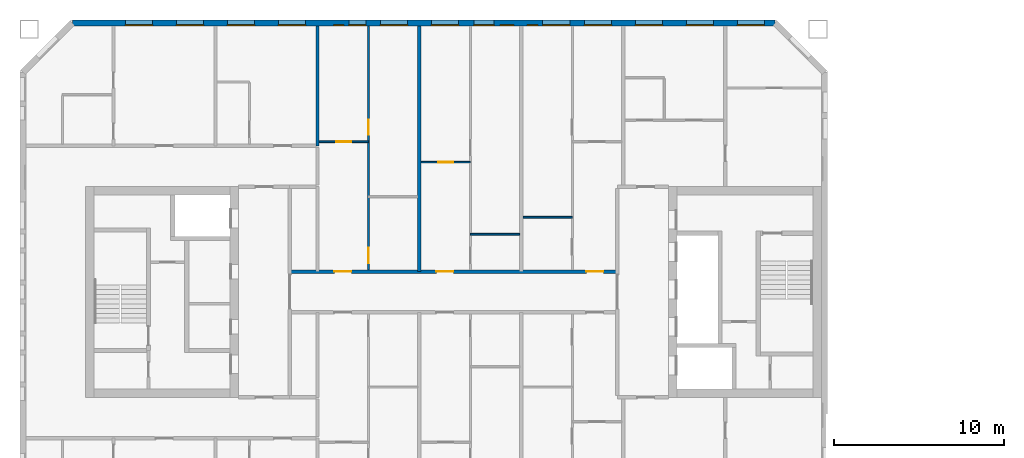
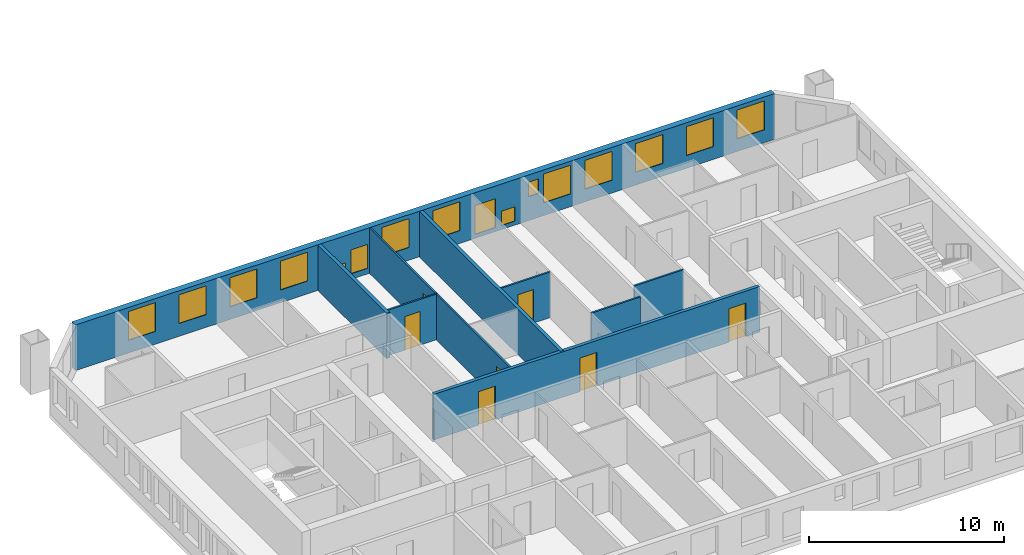
# One storey, part 5 of 15: 16 windows, 9 walls, 7 doors, 23 openings.
"""IFC4 building model written with IfcOpenShell, lengths in metres."""

import ifcopenshell
import ifcopenshell.guid

model = None  # the IFC model being written
_history = None  # IfcOwnerHistory: only IFC2X3 demands one
_inside = {}  # id of a spatial element -> (the spatial element, [elements in it])
_under = {}  # id of a project, library or spatial element -> (it, [spatial elements below it])
_declared = {}  # id of a project -> (the project, [libraries it declares])
_typed = {}  # id of a type object -> (the type object, [elements of that type])
_made_of = {}  # id of a material, layer set ... -> (it, [elements and type objects made of it])


def new_model(schema):
    """Start an empty IFC model of exactly this schema.

    Asked for "IFC4X3", IfcOpenShell would pick the latest addendum, in which some entities
    have other attributes; the version numbers below select the first issue.
    IFC2X3 requires an IfcOwnerHistory on every rooted entity: one is made here for all.
    """
    global model, _history
    if schema == "IFC4X3":
        model = ifcopenshell.file(schema_version=(4, 3, 0, 0))
    else:
        model = ifcopenshell.file(schema=schema)
    _inside.clear()
    _under.clear()
    _declared.clear()
    _typed.clear()
    _made_of.clear()
    _history = None
    if model.schema == "IFC2X3":
        org = make("IfcOrganization", Name="unknown")
        user = make(
            "IfcPersonAndOrganization",
            ThePerson=make("IfcPerson", FamilyName="unknown"),
            TheOrganization=org,
        )
        app = make(
            "IfcApplication",
            ApplicationDeveloper=org,
            Version="unknown",
            ApplicationFullName="unknown",
            ApplicationIdentifier="unknown",
        )
        _history = make(
            "IfcOwnerHistory",
            OwningUser=user,
            OwningApplication=app,
            ChangeAction="ADDED",
            CreationDate=0,
        )
    return model


def make(cls, **values):
    """One entity of the class cls with the attributes given. An attribute that is None is left unset."""
    return model.create_entity(
        cls, **{name: value for name, value in values.items() if value is not None}
    )


def rooted(cls, **values):
    """An entity with a GlobalId (a new one), such as an element, a storey or a relation."""
    return make(cls, GlobalId=ifcopenshell.guid.new(), OwnerHistory=_history, **values)


def si_unit(unit_type, name, prefix=None):
    """IfcSIUnit, for example si_unit("LENGTHUNIT", "METRE", prefix="MILLI")."""
    return make("IfcSIUnit", UnitType=unit_type, Prefix=prefix, Name=name)


def assignment(units):
    """IfcUnitAssignment: the units of a project."""
    return None if units is None else make("IfcUnitAssignment", Units=units)


def point(xyz):
    """IfcCartesianPoint."""
    return None if xyz is None else make("IfcCartesianPoint", Coordinates=xyz)


def direction(xyz):
    """IfcDirection."""
    return None if xyz is None else make("IfcDirection", DirectionRatios=xyz)


def frame(location, z_axis=None, x_axis=None):
    """IfcAxis2Placement3D, a coordinate frame: its origin and axes. An axis left out is left unset."""
    return make(
        "IfcAxis2Placement3D",
        Location=point(location),
        Axis=direction(z_axis),
        RefDirection=direction(x_axis),
    )


def frame_2d(location, x_axis=None):
    """IfcAxis2Placement2D, a coordinate frame in the plane: its origin and x axis."""
    return make(
        "IfcAxis2Placement2D", Location=point(location), RefDirection=direction(x_axis)
    )


def origin():
    """The frame at (0, 0, 0) with its axes left unset."""
    return frame((0.0, 0.0, 0.0))


def place(relative_to, where):
    """IfcLocalPlacement: puts the frame where relative to a parent placement (None: the world)."""
    return make(
        "IfcLocalPlacement", PlacementRelTo=relative_to, RelativePlacement=where
    )


def context(
    kind, dimensions, precision=None, world=None, true_north=None, identifier=None
):
    """IfcGeometricRepresentationContext, for example the 3D "Model" context."""
    return make(
        "IfcGeometricRepresentationContext",
        ContextIdentifier=identifier,
        ContextType=kind,
        CoordinateSpaceDimension=dimensions,
        Precision=precision,
        WorldCoordinateSystem=world,
        TrueNorth=true_north,
    )


def subcontext(parent, identifier, kind, view, scale=None):
    """IfcGeometricRepresentationSubContext, for example "Body" below "Model"."""
    return make(
        "IfcGeometricRepresentationSubContext",
        ContextIdentifier=identifier,
        ContextType=kind,
        ParentContext=parent,
        TargetScale=scale,
        TargetView=view,
    )


def project(units=None, contexts=None):
    """IfcProject with its units and contexts."""
    return rooted(
        "IfcProject",
        Name="project",
        RepresentationContexts=contexts,
        UnitsInContext=assignment(units),
    )


def spatial(cls, under=None, at=None, **own):
    """A site, building, storey or space (cls), placed at a placement, below another one or the project."""
    s = rooted(cls, ObjectPlacement=at, **own)
    if under is not None:
        _under.setdefault(under.id(), (under, []))[1].append(s)
    return s


def profile(cls, at=None, kind="AREA", **sizes):
    """A parametric profile (cls). Its sizes go by their IFC names, for example OverallWidth=200.0."""
    return make(cls, ProfileType=kind, Position=at, **sizes)


def rectangle(**sizes):
    """IfcRectangleProfileDef."""
    return profile("IfcRectangleProfileDef", **sizes)


def extrude(swept, where, along, depth):
    """IfcExtrudedAreaSolid: the profile swept, set in the frame where, extruded along a direction by depth."""
    return make(
        "IfcExtrudedAreaSolid",
        SweptArea=swept,
        Position=where,
        ExtrudedDirection=direction(along),
        Depth=depth,
    )


def shape(context_of_items, identifier, shape_type, items):
    """IfcShapeRepresentation: the items that make up one representation, for example the "Body"."""
    return make(
        "IfcShapeRepresentation",
        ContextOfItems=context_of_items,
        RepresentationIdentifier=identifier,
        RepresentationType=shape_type,
        Items=items,
    )


def material(Name=None, Category=None):
    """IfcMaterial."""
    return make("IfcMaterial", Name=Name, Category=Category)


def layer(
    of_material, thickness, ventilated=None, Name=None, Category=None, Priority=None
):
    """IfcMaterialLayer: one layer of a wall or slab, of a material (None: an air gap)."""
    return make(
        "IfcMaterialLayer",
        Material=of_material,
        LayerThickness=thickness,
        IsVentilated=ventilated,
        Name=Name,
        Category=Category,
        Priority=Priority,
    )


def layer_set(layers, Name=None):
    """IfcMaterialLayerSet."""
    return make("IfcMaterialLayerSet", MaterialLayers=layers, LayerSetName=Name)


def made_of(thing, what):
    """Note that an element or type object is made of a material, layer set ...; save() writes the relation."""
    if what is not None:
        _made_of.setdefault(what.id(), (what, []))[1].append(thing)
    return thing


def type_object(cls, material=None, **own):
    """A type object (cls), such as IfcWallType, which elements share."""
    return made_of(rooted(cls, **own), material)


def element(
    cls,
    number,
    at=None,
    inside=None,
    cuts=None,
    type_object=None,
    material=None,
    context=None,
    identifier="Body",
    shape_type=None,
    held_by="IfcProductDefinitionShape",
    body=None,
    shapes=None,
    **own,
):
    """One element of the class cls, such as IfcWall. Its Tag is "e" and its number.

    at: its placement. inside: the storey or other place that contains it. cuts: it is an
    opening in that element (IfcRelVoidsElement). A single representation is given by context,
    identifier, shape_type and body (its items); several are given by shapes. held_by: the class
    of the entity that holds the representations. save() writes the other relations.
    """
    e = rooted(cls, Tag="e%d" % number, ObjectPlacement=at, **own)
    if body is not None:
        shapes = [shape(context, identifier, shape_type, body)]
    if shapes is not None:
        e.Representation = make(held_by, Representations=shapes)
    if inside is not None:
        _inside.setdefault(inside.id(), (inside, []))[1].append(e)
    if cuts is not None:
        rooted(
            "IfcRelVoidsElement", RelatingBuildingElement=cuts, RelatedOpeningElement=e
        )
    if type_object is not None:
        _typed.setdefault(type_object.id(), (type_object, []))[1].append(e)
    return made_of(e, material)


def fill(opening, filler):
    """IfcRelFillsElement: the door or window that sits in an opening."""
    return rooted(
        "IfcRelFillsElement",
        RelatingOpeningElement=opening,
        RelatedBuildingElement=filler,
    )


def aggregate(whole, parts):
    """IfcRelAggregates: a whole, such as a stair, and the parts it consists of."""
    return rooted("IfcRelAggregates", RelatingObject=whole, RelatedObjects=parts)


def save(model, path):
    """Write the relations noted so far, then the file.

    IfcRelAggregates (storeys below a building ...), IfcRelContainedInSpatialStructure (elements
    in a storey), IfcRelDefinesByType, IfcRelAssociatesMaterial and IfcRelDeclares: one each for
    every whole, place, type object, material and project.
    """
    for whole, parts in _under.values():
        aggregate(whole, parts)
    for where, things in _inside.values():
        rooted(
            "IfcRelContainedInSpatialStructure",
            RelatedElements=things,
            RelatingStructure=where,
        )
    for kind, things in _typed.values():
        rooted("IfcRelDefinesByType", RelatedObjects=things, RelatingType=kind)
    for what, things in _made_of.values():
        rooted("IfcRelAssociatesMaterial", RelatedObjects=things, RelatingMaterial=what)
    for by, libraries in _declared.values():
        rooted("IfcRelDeclares", RelatingContext=by, RelatedDefinitions=libraries)
    model.write(path)


model = new_model("IFC4")

# Units and contexts
model_context = context("Model", 3, precision=1e-05, world=origin(), true_north=direction((0.0, 1.0)))
body_context = subcontext(model_context, "Body", "Model", "MODEL_VIEW")
ifc_project = project(units=[si_unit("LENGTHUNIT", "METRE"), si_unit("AREAUNIT", "SQUARE_METRE"), si_unit("VOLUMEUNIT", "CUBIC_METRE"), si_unit("PLANEANGLEUNIT", "RADIAN"), si_unit("MASSUNIT", "GRAM", prefix="KILO")], contexts=[model_context])

# Site, building, storey
site_placement = place(None, origin())
site = spatial("IfcSite", under=ifc_project, at=site_placement, CompositionType="ELEMENT")
building_placement = place(site_placement, origin())
building = spatial("IfcBuilding", under=site, at=building_placement, Name="Tuart Gate Housing", CompositionType="ELEMENT")
storey_placement = place(building_placement, frame((0.0, 0.0, 160.89990234375)))
storey = spatial("IfcBuildingStorey", under=building, at=storey_placement, Name="L45", CompositionType="ELEMENT", Elevation=160.89990234375)

# Wall, openings, windows
ifc_material_1 = material(Name="Brick", Category="masonry")
ifc_layer_1 = layer(ifc_material_1, 0.360107421875)
ifc_layer_set_1 = layer_set([ifc_layer_1], Name="Brick pier and spandrel wall 360")
wall_type_1 = type_object("IfcWallType", Name="Brick pier and spandrel wall 360", PredefinedType="STANDARD", material=ifc_layer_set_1)
wall_1_placement = place(storey_placement, frame((72.92529296875, 85.820068359375, 0.0), z_axis=(0.0, 0.0, 1.0), x_axis=(-1.0, 0.0, 0.0)))
wall_1 = element("IfcWall", 1, at=wall_1_placement, inside=storey, type_object=wall_type_1, Name="External wall A-N L45", PredefinedType="STANDARD", context=body_context, shape_type="SweptSolid", body=[
    extrude(rectangle(XDim=41.350830078125, YDim=0.360107421875, at=frame_2d((20.67529296875, 0.0))), origin(), (0.0, 0.0, 1.0), 2.85009765625),
])
opening_1_placement = place(wall_1_placement, frame((0.62548828125, 0.0, 0.800048828125)))
opening_1 = element("IfcOpeningElement", 2, at=opening_1_placement, cuts=wall_1, Name="Opening W1", PredefinedType="OPENING", context=body_context, shape_type="SweptSolid", body=[
    extrude(rectangle(XDim=1.60009765625, YDim=1.800048828125, at=frame_2d((0.800048828125, 0.89990234375))), frame((0.0, 0.18994140625, 0.0), z_axis=(0.0, -1.0, 0.0), x_axis=(1.0, 0.0, 0.0)), (0.0, 0.0, 1.0), 0.380126953125),
])
opening_2_placement = place(wall_1_placement, frame((3.62548828125, 0.0, 0.800048828125)))
opening_2 = element("IfcOpeningElement", 3, at=opening_2_placement, cuts=wall_1, Name="Opening W1", PredefinedType="OPENING", context=body_context, shape_type="SweptSolid", body=[
    extrude(rectangle(XDim=1.60009765625, YDim=1.800048828125, at=frame_2d((0.800048828125, 0.89990234375))), frame((0.0, 0.18994140625, 0.0), z_axis=(0.0, -1.0, 0.0), x_axis=(1.0, 0.0, 0.0)), (0.0, 0.0, 1.0), 0.380126953125),
])
opening_3_placement = place(wall_1_placement, frame((6.62548828125, 0.0, 0.800048828125)))
opening_3 = element("IfcOpeningElement", 4, at=opening_3_placement, cuts=wall_1, Name="Opening W1", PredefinedType="OPENING", context=body_context, shape_type="SweptSolid", body=[
    extrude(rectangle(XDim=1.60009765625, YDim=1.800048828125, at=frame_2d((0.800048828125, 0.89990234375))), frame((0.0, 0.18994140625, 0.0), z_axis=(0.0, -1.0, 0.0), x_axis=(1.0, 0.0, 0.0)), (0.0, 0.0, 1.0), 0.380126953125),
])
opening_4_placement = place(wall_1_placement, frame((9.62548828125, 0.0, 0.800048828125)))
opening_4 = element("IfcOpeningElement", 5, at=opening_4_placement, cuts=wall_1, Name="Opening W1", PredefinedType="OPENING", context=body_context, shape_type="SweptSolid", body=[
    extrude(rectangle(XDim=1.60009765625, YDim=1.800048828125, at=frame_2d((0.800048828125, 0.89990234375))), frame((0.0, 0.18994140625, 0.0), z_axis=(0.0, -1.0, 0.0), x_axis=(1.0, 0.0, 0.0)), (0.0, 0.0, 1.0), 0.380126953125),
])
opening_5_placement = place(wall_1_placement, frame((12.075439453125, 0.0, 0.800048828125)))
opening_5 = element("IfcOpeningElement", 6, at=opening_5_placement, cuts=wall_1, Name="Opening W1", PredefinedType="OPENING", context=body_context, shape_type="SweptSolid", body=[
    extrude(rectangle(XDim=1.60009765625, YDim=1.800048828125, at=frame_2d((0.800048828125, 0.89990234375))), frame((0.0, 0.18994140625, 0.0), z_axis=(0.0, -1.0, 0.0), x_axis=(1.0, 0.0, 0.0)), (0.0, 0.0, 1.0), 0.380126953125),
])
opening_6_placement = place(wall_1_placement, frame((15.37548828125, 0.0, 0.25)))
opening_6 = element("IfcOpeningElement", 7, at=opening_6_placement, cuts=wall_1, Name="Opening W1V", PredefinedType="OPENING", context=body_context, shape_type="SweptSolid", body=[
    extrude(rectangle(XDim=0.800048828125, YDim=0.89990234375, at=frame_2d((0.39990234375, 0.449951171875))), frame((0.0, 0.18994140625, 0.0), z_axis=(0.0, -1.0, 0.0), x_axis=(1.0, 0.0, 0.0)), (0.0, 0.0, 1.0), 0.380126953125),
])
opening_7_placement = place(wall_1_placement, frame((18.62548828125, 0.0, 0.800048828125)))
opening_7 = element("IfcOpeningElement", 8, at=opening_7_placement, cuts=wall_1, Name="Opening W1", PredefinedType="OPENING", context=body_context, shape_type="SweptSolid", body=[
    extrude(rectangle(XDim=1.60009765625, YDim=1.800048828125, at=frame_2d((0.800048828125, 0.89990234375))), frame((0.0, 0.18994140625, 0.0), z_axis=(0.0, -1.0, 0.0), x_axis=(1.0, 0.0, 0.0)), (0.0, 0.0, 1.0), 0.380126953125),
])
opening_8_placement = place(wall_1_placement, frame((21.62548828125, 0.0, 0.800048828125)))
opening_8 = element("IfcOpeningElement", 9, at=opening_8_placement, cuts=wall_1, Name="Opening W1", PredefinedType="OPENING", context=body_context, shape_type="SweptSolid", body=[
    extrude(rectangle(XDim=1.60009765625, YDim=1.800048828125, at=frame_2d((0.800048828125, 0.89990234375))), frame((0.0, 0.18994140625, 0.0), z_axis=(0.0, -1.0, 0.0), x_axis=(1.0, 0.0, 0.0)), (0.0, 0.0, 1.0), 0.380126953125),
])
opening_9_placement = place(wall_1_placement, frame((24.075439453125, 0.0, 0.35009765625)))
opening_9 = element("IfcOpeningElement", 10, at=opening_9_placement, cuts=wall_1, Name="Opening W1I", PredefinedType="OPENING", context=body_context, shape_type="SweptSolid", body=[
    extrude(rectangle(XDim=1.0, YDim=1.5, at=frame_2d((0.5, 0.75))), frame((0.0, 0.18994140625, 0.0), z_axis=(0.0, -1.0, 0.0), x_axis=(1.0, 0.0, 0.0)), (0.0, 0.0, 1.0), 0.380126953125),
])
opening_10_placement = place(wall_1_placement, frame((27.62548828125, 0.0, 0.800048828125)))
opening_10 = element("IfcOpeningElement", 11, at=opening_10_placement, cuts=wall_1, Name="Opening W1", PredefinedType="OPENING", context=body_context, shape_type="SweptSolid", body=[
    extrude(rectangle(XDim=1.60009765625, YDim=1.800048828125, at=frame_2d((0.800048828125, 0.89990234375))), frame((0.0, 0.18994140625, 0.0), z_axis=(0.0, -1.0, 0.0), x_axis=(1.0, 0.0, 0.0)), (0.0, 0.0, 1.0), 0.380126953125),
])
opening_11_placement = place(wall_1_placement, frame((30.62548828125, 0.0, 0.800048828125)))
opening_11 = element("IfcOpeningElement", 12, at=opening_11_placement, cuts=wall_1, Name="Opening W1", PredefinedType="OPENING", context=body_context, shape_type="SweptSolid", body=[
    extrude(rectangle(XDim=1.60009765625, YDim=1.800048828125, at=frame_2d((0.800048828125, 0.89990234375))), frame((0.0, 0.18994140625, 0.0), z_axis=(0.0, -1.0, 0.0), x_axis=(1.0, 0.0, 0.0)), (0.0, 0.0, 1.0), 0.380126953125),
])
opening_12_placement = place(wall_1_placement, frame((33.62548828125, 0.0, 0.800048828125)))
opening_12 = element("IfcOpeningElement", 13, at=opening_12_placement, cuts=wall_1, Name="Opening W1", PredefinedType="OPENING", context=body_context, shape_type="SweptSolid", body=[
    extrude(rectangle(XDim=1.60009765625, YDim=1.800048828125, at=frame_2d((0.800048828125, 0.89990234375))), frame((0.0, 0.18994140625, 0.0), z_axis=(0.0, -1.0, 0.0), x_axis=(1.0, 0.0, 0.0)), (0.0, 0.0, 1.0), 0.380126953125),
])
opening_13_placement = place(wall_1_placement, frame((36.62548828125, 0.0, 0.800048828125)))
opening_13 = element("IfcOpeningElement", 14, at=opening_13_placement, cuts=wall_1, Name="Opening W1", PredefinedType="OPENING", context=body_context, shape_type="SweptSolid", body=[
    extrude(rectangle(XDim=1.60009765625, YDim=1.800048828125, at=frame_2d((0.800048828125, 0.89990234375))), frame((0.0, 0.18994140625, 0.0), z_axis=(0.0, -1.0, 0.0), x_axis=(1.0, 0.0, 0.0)), (0.0, 0.0, 1.0), 0.380126953125),
])
opening_14_placement = place(wall_1_placement, frame((13.975341796875, 0.0, 1.5)))
opening_14 = element("IfcOpeningElement", 15, at=opening_14_placement, cuts=wall_1, Name="Opening W1W", PredefinedType="OPENING", context=body_context, shape_type="SweptSolid", body=[
    extrude(rectangle(XDim=0.60009765625, YDim=0.89990234375, at=frame_2d((0.300048828125, 0.449951171875))), frame((0.0, 0.18994140625, 0.0), z_axis=(0.0, -1.0, 0.0), x_axis=(1.0, 0.0, 0.0)), (0.0, 0.0, 1.0), 0.380126953125),
])
opening_15_placement = place(wall_1_placement, frame((16.525390625, 0.0, 0.25)))
opening_15 = element("IfcOpeningElement", 16, at=opening_15_placement, cuts=wall_1, Name="Opening W1B", PredefinedType="OPENING", context=body_context, shape_type="SweptSolid", body=[
    extrude(rectangle(XDim=1.199951171875, YDim=1.800048828125, at=frame_2d((0.60009765625, 0.89990234375))), frame((0.0, 0.18994140625, 0.0), z_axis=(0.0, -1.0, 0.0), x_axis=(1.0, 0.0, 0.0)), (0.0, 0.0, 1.0), 0.380126953125),
])
opening_16_placement = place(wall_1_placement, frame((25.37548828125, 0.0, 0.25)))
opening_16 = element("IfcOpeningElement", 17, at=opening_16_placement, cuts=wall_1, Name="Opening W1W", PredefinedType="OPENING", context=body_context, shape_type="SweptSolid", body=[
    extrude(rectangle(XDim=0.60009765625, YDim=0.89990234375, at=frame_2d((0.300048828125, 0.449951171875))), frame((0.0, 0.18994140625, 0.0), z_axis=(0.0, -1.0, 0.0), x_axis=(1.0, 0.0, 0.0)), (0.0, 0.0, 1.0), 0.380126953125),
])
ifc_material_2 = material(Name="Aluminium frame with clear glass", Category="aluminium")
window_type_1 = type_object("IfcWindowType", Name="Punched window 1000 x 1500", PartitioningType="SINGLE_PANEL", PredefinedType="WINDOW", material=ifc_material_2)
window_1_placement = place(opening_9_placement, origin())
window_1 = element("IfcWindow", 18, at=window_1_placement, inside=storey, type_object=window_type_1, Name="Window W1I", OverallHeight=1.5, OverallWidth=1.0, PartitioningType="SINGLE_PANEL", PredefinedType="WINDOW", context=body_context, shape_type="SweptSolid", body=[
    extrude(rectangle(XDim=1.0, YDim=1.5, at=frame_2d((0.5, 0.75))), frame((0.0, 0.150146484375, 0.0), z_axis=(0.0, -1.0, 0.0), x_axis=(1.0, 0.0, 0.0)), (0.0, 0.0, 1.0), 0.06005859375),
])
fill(opening_9, window_1)
ifc_material_3 = material(Name="Aluminium frame with clear glass", Category="aluminium")
window_type_2 = type_object("IfcWindowType", Name="Punched window 1200 x 1800", PartitioningType="SINGLE_PANEL", PredefinedType="WINDOW", material=ifc_material_3)
window_2_placement = place(opening_15_placement, origin())
window_2 = element("IfcWindow", 19, at=window_2_placement, inside=storey, type_object=window_type_2, Name="Window W1B", OverallHeight=1.800048828125, OverallWidth=1.199951171875, PartitioningType="SINGLE_PANEL", PredefinedType="WINDOW", context=body_context, shape_type="SweptSolid", body=[
    extrude(rectangle(XDim=1.199951171875, YDim=1.800048828125, at=frame_2d((0.60009765625, 0.89990234375))), frame((0.0, 0.150146484375, 0.0), z_axis=(0.0, -1.0, 0.0), x_axis=(1.0, 0.0, 0.0)), (0.0, 0.0, 1.0), 0.06005859375),
])
fill(opening_15, window_2)
ifc_material_4 = material(Name="Aluminium frame with clear glass", Category="aluminium")
window_type_3 = type_object("IfcWindowType", Name="Punched window 1600 x 1800", PartitioningType="SINGLE_PANEL", PredefinedType="WINDOW", material=ifc_material_4)
window_3_placement = place(opening_1_placement, origin())
window_3 = element("IfcWindow", 20, at=window_3_placement, inside=storey, type_object=window_type_3, Name="Window W1", OverallHeight=1.800048828125, OverallWidth=1.60009765625, PartitioningType="SINGLE_PANEL", PredefinedType="WINDOW", context=body_context, shape_type="SweptSolid", body=[
    extrude(rectangle(XDim=1.60009765625, YDim=1.800048828125, at=frame_2d((0.800048828125, 0.89990234375))), frame((0.0, 0.150146484375, 0.0), z_axis=(0.0, -1.0, 0.0), x_axis=(1.0, 0.0, 0.0)), (0.0, 0.0, 1.0), 0.06005859375),
])
fill(opening_1, window_3)
window_4_placement = place(opening_2_placement, origin())
window_4 = element("IfcWindow", 21, at=window_4_placement, inside=storey, type_object=window_type_3, Name="Window W1", OverallHeight=1.800048828125, OverallWidth=1.60009765625, PartitioningType="SINGLE_PANEL", PredefinedType="WINDOW", context=body_context, shape_type="SweptSolid", body=[
    extrude(rectangle(XDim=1.60009765625, YDim=1.800048828125, at=frame_2d((0.800048828125, 0.89990234375))), frame((0.0, 0.150146484375, 0.0), z_axis=(0.0, -1.0, 0.0), x_axis=(1.0, 0.0, 0.0)), (0.0, 0.0, 1.0), 0.06005859375),
])
fill(opening_2, window_4)
window_5_placement = place(opening_3_placement, origin())
window_5 = element("IfcWindow", 22, at=window_5_placement, inside=storey, type_object=window_type_3, Name="Window W1", OverallHeight=1.800048828125, OverallWidth=1.60009765625, PartitioningType="SINGLE_PANEL", PredefinedType="WINDOW", context=body_context, shape_type="SweptSolid", body=[
    extrude(rectangle(XDim=1.60009765625, YDim=1.800048828125, at=frame_2d((0.800048828125, 0.89990234375))), frame((0.0, 0.150146484375, 0.0), z_axis=(0.0, -1.0, 0.0), x_axis=(1.0, 0.0, 0.0)), (0.0, 0.0, 1.0), 0.06005859375),
])
fill(opening_3, window_5)
window_6_placement = place(opening_4_placement, origin())
window_6 = element("IfcWindow", 23, at=window_6_placement, inside=storey, type_object=window_type_3, Name="Window W1", OverallHeight=1.800048828125, OverallWidth=1.60009765625, PartitioningType="SINGLE_PANEL", PredefinedType="WINDOW", context=body_context, shape_type="SweptSolid", body=[
    extrude(rectangle(XDim=1.60009765625, YDim=1.800048828125, at=frame_2d((0.800048828125, 0.89990234375))), frame((0.0, 0.150146484375, 0.0), z_axis=(0.0, -1.0, 0.0), x_axis=(1.0, 0.0, 0.0)), (0.0, 0.0, 1.0), 0.06005859375),
])
fill(opening_4, window_6)
window_7_placement = place(opening_5_placement, origin())
window_7 = element("IfcWindow", 24, at=window_7_placement, inside=storey, type_object=window_type_3, Name="Window W1", OverallHeight=1.800048828125, OverallWidth=1.60009765625, PartitioningType="SINGLE_PANEL", PredefinedType="WINDOW", context=body_context, shape_type="SweptSolid", body=[
    extrude(rectangle(XDim=1.60009765625, YDim=1.800048828125, at=frame_2d((0.800048828125, 0.89990234375))), frame((0.0, 0.150146484375, 0.0), z_axis=(0.0, -1.0, 0.0), x_axis=(1.0, 0.0, 0.0)), (0.0, 0.0, 1.0), 0.06005859375),
])
fill(opening_5, window_7)
window_8_placement = place(opening_7_placement, origin())
window_8 = element("IfcWindow", 25, at=window_8_placement, inside=storey, type_object=window_type_3, Name="Window W1", OverallHeight=1.800048828125, OverallWidth=1.60009765625, PartitioningType="SINGLE_PANEL", PredefinedType="WINDOW", context=body_context, shape_type="SweptSolid", body=[
    extrude(rectangle(XDim=1.60009765625, YDim=1.800048828125, at=frame_2d((0.800048828125, 0.89990234375))), frame((0.0, 0.150146484375, 0.0), z_axis=(0.0, -1.0, 0.0), x_axis=(1.0, 0.0, 0.0)), (0.0, 0.0, 1.0), 0.06005859375),
])
fill(opening_7, window_8)
window_9_placement = place(opening_8_placement, origin())
window_9 = element("IfcWindow", 26, at=window_9_placement, inside=storey, type_object=window_type_3, Name="Window W1", OverallHeight=1.800048828125, OverallWidth=1.60009765625, PartitioningType="SINGLE_PANEL", PredefinedType="WINDOW", context=body_context, shape_type="SweptSolid", body=[
    extrude(rectangle(XDim=1.60009765625, YDim=1.800048828125, at=frame_2d((0.800048828125, 0.89990234375))), frame((0.0, 0.150146484375, 0.0), z_axis=(0.0, -1.0, 0.0), x_axis=(1.0, 0.0, 0.0)), (0.0, 0.0, 1.0), 0.06005859375),
])
fill(opening_8, window_9)
window_10_placement = place(opening_10_placement, origin())
window_10 = element("IfcWindow", 27, at=window_10_placement, inside=storey, type_object=window_type_3, Name="Window W1", OverallHeight=1.800048828125, OverallWidth=1.60009765625, PartitioningType="SINGLE_PANEL", PredefinedType="WINDOW", context=body_context, shape_type="SweptSolid", body=[
    extrude(rectangle(XDim=1.60009765625, YDim=1.800048828125, at=frame_2d((0.800048828125, 0.89990234375))), frame((0.0, 0.150146484375, 0.0), z_axis=(0.0, -1.0, 0.0), x_axis=(1.0, 0.0, 0.0)), (0.0, 0.0, 1.0), 0.06005859375),
])
fill(opening_10, window_10)
window_11_placement = place(opening_11_placement, origin())
window_11 = element("IfcWindow", 28, at=window_11_placement, inside=storey, type_object=window_type_3, Name="Window W1", OverallHeight=1.800048828125, OverallWidth=1.60009765625, PartitioningType="SINGLE_PANEL", PredefinedType="WINDOW", context=body_context, shape_type="SweptSolid", body=[
    extrude(rectangle(XDim=1.60009765625, YDim=1.800048828125, at=frame_2d((0.800048828125, 0.89990234375))), frame((0.0, 0.150146484375, 0.0), z_axis=(0.0, -1.0, 0.0), x_axis=(1.0, 0.0, 0.0)), (0.0, 0.0, 1.0), 0.06005859375),
])
fill(opening_11, window_11)
window_12_placement = place(opening_12_placement, origin())
window_12 = element("IfcWindow", 29, at=window_12_placement, inside=storey, type_object=window_type_3, Name="Window W1", OverallHeight=1.800048828125, OverallWidth=1.60009765625, PartitioningType="SINGLE_PANEL", PredefinedType="WINDOW", context=body_context, shape_type="SweptSolid", body=[
    extrude(rectangle(XDim=1.60009765625, YDim=1.800048828125, at=frame_2d((0.800048828125, 0.89990234375))), frame((0.0, 0.150146484375, 0.0), z_axis=(0.0, -1.0, 0.0), x_axis=(1.0, 0.0, 0.0)), (0.0, 0.0, 1.0), 0.06005859375),
])
fill(opening_12, window_12)
window_13_placement = place(opening_13_placement, origin())
window_13 = element("IfcWindow", 30, at=window_13_placement, inside=storey, type_object=window_type_3, Name="Window W1", OverallHeight=1.800048828125, OverallWidth=1.60009765625, PartitioningType="SINGLE_PANEL", PredefinedType="WINDOW", context=body_context, shape_type="SweptSolid", body=[
    extrude(rectangle(XDim=1.60009765625, YDim=1.800048828125, at=frame_2d((0.800048828125, 0.89990234375))), frame((0.0, 0.150146484375, 0.0), z_axis=(0.0, -1.0, 0.0), x_axis=(1.0, 0.0, 0.0)), (0.0, 0.0, 1.0), 0.06005859375),
])
fill(opening_13, window_13)
ifc_material_5 = material(Name="Aluminium frame with clear glass", Category="aluminium")
window_type_4 = type_object("IfcWindowType", Name="Punched window 600 x 900", PartitioningType="SINGLE_PANEL", PredefinedType="WINDOW", material=ifc_material_5)
window_14_placement = place(opening_14_placement, origin())
window_14 = element("IfcWindow", 31, at=window_14_placement, inside=storey, type_object=window_type_4, Name="Window W1W", OverallHeight=0.89990234375, OverallWidth=0.60009765625, PartitioningType="SINGLE_PANEL", PredefinedType="WINDOW", context=body_context, shape_type="SweptSolid", body=[
    extrude(rectangle(XDim=0.60009765625, YDim=0.89990234375, at=frame_2d((0.300048828125, 0.449951171875))), frame((0.0, 0.150146484375, 0.0), z_axis=(0.0, -1.0, 0.0), x_axis=(1.0, 0.0, 0.0)), (0.0, 0.0, 1.0), 0.06005859375),
])
fill(opening_14, window_14)
window_15_placement = place(opening_16_placement, origin())
window_15 = element("IfcWindow", 32, at=window_15_placement, inside=storey, type_object=window_type_4, Name="Window W1W", OverallHeight=0.89990234375, OverallWidth=0.60009765625, PartitioningType="SINGLE_PANEL", PredefinedType="WINDOW", context=body_context, shape_type="SweptSolid", body=[
    extrude(rectangle(XDim=0.60009765625, YDim=0.89990234375, at=frame_2d((0.300048828125, 0.449951171875))), frame((0.0, 0.150146484375, 0.0), z_axis=(0.0, -1.0, 0.0), x_axis=(1.0, 0.0, 0.0)), (0.0, 0.0, 1.0), 0.06005859375),
])
fill(opening_16, window_15)
ifc_material_6 = material(Name="Aluminium frame with clear glass", Category="aluminium")
window_type_5 = type_object("IfcWindowType", Name="Punched window 800 x 900", PartitioningType="SINGLE_PANEL", PredefinedType="WINDOW", material=ifc_material_6)
window_16_placement = place(opening_6_placement, origin())
window_16 = element("IfcWindow", 33, at=window_16_placement, inside=storey, type_object=window_type_5, Name="Window W1V", OverallHeight=0.89990234375, OverallWidth=0.800048828125, PartitioningType="SINGLE_PANEL", PredefinedType="WINDOW", context=body_context, shape_type="SweptSolid", body=[
    extrude(rectangle(XDim=0.800048828125, YDim=0.89990234375, at=frame_2d((0.39990234375, 0.449951171875))), frame((0.0, 0.150146484375, 0.0), z_axis=(0.0, -1.0, 0.0), x_axis=(1.0, 0.0, 0.0)), (0.0, 0.0, 1.0), 0.06005859375),
])
fill(opening_6, window_16)

# Wall, openings, doors
ifc_material_7 = material(Name="Concrete masonry 15 MPa", Category="masonry")
ifc_layer_2 = layer(ifc_material_7, 0.199951171875)
ifc_layer_set_2 = layer_set([ifc_layer_2], Name="Corridor wall masonry 200")
wall_type_2 = type_object("IfcWallType", Name="Corridor wall masonry 200", PredefinedType="PARTITIONING", material=ifc_layer_set_2)
wall_2_placement = place(storey_placement, frame((44.360107421875, 71.199951171875, 0.0), z_axis=(0.0, 0.0, 1.0), x_axis=(1.0, 0.0, 0.0)))
wall_2 = element("IfcWall", 34, at=wall_2_placement, inside=storey, type_object=wall_type_2, Name="Corridor wall masonry 200", PredefinedType="PARTITIONING", context=body_context, shape_type="SweptSolid", body=[
    extrude(rectangle(XDim=19.27978515625, YDim=0.199951171875, at=frame_2d((9.639892578125, 0.0))), origin(), (0.0, 0.0, 1.0), 2.85009765625),
])
opening_17_placement = place(wall_2_placement, frame((17.4599609375, 0.0, 0.0)))
opening_17 = element("IfcOpeningElement", 35, at=opening_17_placement, cuts=wall_2, Name="Opening D1645", PredefinedType="OPENING", context=body_context, shape_type="SweptSolid", body=[
    extrude(rectangle(XDim=1.0, YDim=2.10009765625, at=frame_2d((0.5, 1.050048828125))), frame((0.0, 0.10986328125, 0.0), z_axis=(0.0, -1.0, 0.0), x_axis=(1.0, 0.0, 0.0)), (0.0, 0.0, 1.0), 0.219970703125),
])
opening_18_placement = place(wall_2_placement, frame((8.639892578125, 0.0, 0.0)))
opening_18 = element("IfcOpeningElement", 36, at=opening_18_placement, cuts=wall_2, Name="Opening D1646", PredefinedType="OPENING", context=body_context, shape_type="SweptSolid", body=[
    extrude(rectangle(XDim=1.0, YDim=2.10009765625, at=frame_2d((0.5, 1.050048828125))), frame((0.0, 0.10986328125, 0.0), z_axis=(0.0, -1.0, 0.0), x_axis=(1.0, 0.0, 0.0)), (0.0, 0.0, 1.0), 0.219970703125),
])
opening_19_placement = place(wall_2_placement, frame((2.639892578125, 0.0, 0.0)))
opening_19 = element("IfcOpeningElement", 37, at=opening_19_placement, cuts=wall_2, Name="Opening D1647", PredefinedType="OPENING", context=body_context, shape_type="SweptSolid", body=[
    extrude(rectangle(XDim=1.0, YDim=2.10009765625, at=frame_2d((0.5, 1.050048828125))), frame((0.0, 0.10986328125, 0.0), z_axis=(0.0, -1.0, 0.0), x_axis=(1.0, 0.0, 0.0)), (0.0, 0.0, 1.0), 0.219970703125),
])
ifc_material_8 = material(Name="Timber door leaf in steel frame", Category="steel")
door_type_1 = type_object("IfcDoorType", Name="Flat entrance door 1000", OperationType="SINGLE_SWING_LEFT", PredefinedType="DOOR", material=ifc_material_8)
door_1_placement = place(opening_17_placement, origin())
door_1 = element("IfcDoor", 38, at=door_1_placement, inside=storey, type_object=door_type_1, Name="Flat entrance door", OperationType="SINGLE_SWING_LEFT", OverallHeight=2.10009765625, OverallWidth=1.0, PredefinedType="DOOR", context=body_context, shape_type="SweptSolid", body=[
    extrude(rectangle(XDim=1.0, YDim=2.10009765625, at=frame_2d((0.5, 1.050048828125))), frame((0.0, 0.02490234375, 0.0), z_axis=(0.0, -1.0, 0.0), x_axis=(1.0, 0.0, 0.0)), (0.0, 0.0, 1.0), 0.050048828125),
])
fill(opening_17, door_1)
door_2_placement = place(opening_18_placement, origin())
door_2 = element("IfcDoor", 39, at=door_2_placement, inside=storey, type_object=door_type_1, Name="Flat entrance door", OperationType="SINGLE_SWING_LEFT", OverallHeight=2.10009765625, OverallWidth=1.0, PredefinedType="DOOR", context=body_context, shape_type="SweptSolid", body=[
    extrude(rectangle(XDim=1.0, YDim=2.10009765625, at=frame_2d((0.5, 1.050048828125))), frame((0.0, 0.02490234375, 0.0), z_axis=(0.0, -1.0, 0.0), x_axis=(1.0, 0.0, 0.0)), (0.0, 0.0, 1.0), 0.050048828125),
])
fill(opening_18, door_2)
door_3_placement = place(opening_19_placement, origin())
door_3 = element("IfcDoor", 40, at=door_3_placement, inside=storey, type_object=door_type_1, Name="Flat entrance door", OperationType="SINGLE_SWING_LEFT", OverallHeight=2.10009765625, OverallWidth=1.0, PredefinedType="DOOR", context=body_context, shape_type="SweptSolid", body=[
    extrude(rectangle(XDim=1.0, YDim=2.10009765625, at=frame_2d((0.5, 1.050048828125))), frame((0.0, 0.02490234375, 0.0), z_axis=(0.0, -1.0, 0.0), x_axis=(1.0, 0.0, 0.0)), (0.0, 0.0, 1.0), 0.050048828125),
])
fill(opening_19, door_3)

# Walls
ifc_material_9 = material(Name="Gypsum board on steel studs", Category="steel")
ifc_layer_3 = layer(ifc_material_9, 0.10009765625)
ifc_layer_set_3 = layer_set([ifc_layer_3], Name="Partition 100")
wall_type_3 = type_object("IfcWallType", Name="Partition 100", PredefinedType="PARTITIONING", material=ifc_layer_set_3)
for number, where, z_axis, x_axis, name in (
    (41, (55.0, 73.39990234375, 0.0), (0.0, 0.0, 1.0), (1.0, 0.0, 0.0), "Partition 100"),
    (42, (58.10009765625, 74.39990234375, 0.0), (0.0, 0.0, 1.0), (1.0, 0.0, 0.0), "Partition 100"),
):
    element("IfcWall", number, at=place(storey_placement, frame(where, z_axis=z_axis, x_axis=x_axis)), inside=storey, type_object=wall_type_3, Name=name, PredefinedType="PARTITIONING", context=body_context, shape_type="SweptSolid", body=[
        extrude(rectangle(XDim=2.89990234375, YDim=0.10009765625, at=frame_2d((1.449951171875, 0.0))), origin(), (0.0, 0.0, 1.0), 2.85009765625),
    ])

# Wall, opening, door
wall_3_placement = place(storey_placement, frame((52.10009765625, 77.639892578125, 0.0), z_axis=(0.0, 0.0, 1.0), x_axis=(1.0, 0.0, 0.0)))
wall_3 = element("IfcWall", 43, at=wall_3_placement, inside=storey, type_object=wall_type_3, Name="Partition 100", PredefinedType="PARTITIONING", context=body_context, shape_type="SweptSolid", body=[
    extrude(rectangle(XDim=2.89990234375, YDim=0.10009765625, at=frame_2d((1.449951171875, 0.0))), origin(), (0.0, 0.0, 1.0), 2.85009765625),
])
opening_20_placement = place(wall_3_placement, frame((1.0, 0.0, 0.0)))
opening_20 = element("IfcOpeningElement", 44, at=opening_20_placement, cuts=wall_3, Name="Opening D1640", PredefinedType="OPENING", context=body_context, shape_type="SweptSolid", body=[
    extrude(rectangle(XDim=0.89990234375, YDim=2.10009765625, at=frame_2d((0.449951171875, 1.050048828125))), frame((0.0, 0.06005859375, 0.0), z_axis=(0.0, -1.0, 0.0), x_axis=(1.0, 0.0, 0.0)), (0.0, 0.0, 1.0), 0.1201171875),
])
ifc_material_10 = material(Name="Timber door leaf in steel frame", Category="steel")
door_type_2 = type_object("IfcDoorType", Name="Internal door 900", OperationType="SINGLE_SWING_LEFT", PredefinedType="DOOR", material=ifc_material_10)
door_4_placement = place(opening_20_placement, frame((0.89990234375, 0.0, 0.0), z_axis=(0.0, 0.0, 1.0), x_axis=(-1.0, 0.0, 0.0)))
door_4 = element("IfcDoor", 45, at=door_4_placement, inside=storey, type_object=door_type_2, Name="Internal door", OperationType="SINGLE_SWING_LEFT", OverallHeight=2.10009765625, OverallWidth=0.89990234375, PredefinedType="DOOR", context=body_context, shape_type="SweptSolid", body=[
    extrude(rectangle(XDim=0.89990234375, YDim=2.10009765625, at=frame_2d((0.449951171875, 1.050048828125))), frame((0.0, 0.025146484375, 0.0), z_axis=(0.0, -1.0, 0.0), x_axis=(1.0, 0.0, 0.0)), (0.0, 0.0, 1.0), 0.050048828125),
])
fill(opening_20, door_4)

wall_4_placement = place(storey_placement, frame((46.10009765625, 78.840087890625, 0.0), z_axis=(0.0, 0.0, 1.0), x_axis=(1.0, 0.0, 0.0)))
wall_4 = element("IfcWall", 46, at=wall_4_placement, inside=storey, type_object=wall_type_3, Name="Partition 100", PredefinedType="PARTITIONING", context=body_context, shape_type="SweptSolid", body=[
    extrude(rectangle(XDim=2.89990234375, YDim=0.10009765625, at=frame_2d((1.449951171875, 0.0))), origin(), (0.0, 0.0, 1.0), 2.85009765625),
])
opening_21_placement = place(wall_4_placement, frame((1.0, 0.0, 0.0)))
opening_21 = element("IfcOpeningElement", 47, at=opening_21_placement, cuts=wall_4, Name="Opening D1630", PredefinedType="OPENING", context=body_context, shape_type="SweptSolid", body=[
    extrude(rectangle(XDim=0.89990234375, YDim=2.10009765625, at=frame_2d((0.449951171875, 1.050048828125))), frame((0.0, 0.06005859375, 0.0), z_axis=(0.0, -1.0, 0.0), x_axis=(1.0, 0.0, 0.0)), (0.0, 0.0, 1.0), 0.1201171875),
])
door_5_placement = place(opening_21_placement, frame((0.89990234375, 0.0, 0.0), z_axis=(0.0, 0.0, 1.0), x_axis=(-1.0, 0.0, 0.0)))
door_5 = element("IfcDoor", 48, at=door_5_placement, inside=storey, type_object=door_type_2, Name="Internal door", OperationType="SINGLE_SWING_LEFT", OverallHeight=2.10009765625, OverallWidth=0.89990234375, PredefinedType="DOOR", context=body_context, shape_type="SweptSolid", body=[
    extrude(rectangle(XDim=0.89990234375, YDim=2.10009765625, at=frame_2d((0.449951171875, 1.050048828125))), frame((0.0, 0.025146484375, 0.0), z_axis=(0.0, -1.0, 0.0), x_axis=(1.0, 0.0, 0.0)), (0.0, 0.0, 1.0), 0.050048828125),
])
fill(opening_21, door_5)

# Wall, openings, doors
wall_5_placement = place(storey_placement, frame((49.0, 71.300048828125, 0.0), z_axis=(0.0, 0.0, 1.0), x_axis=(0.0, 1.0, 0.0)))
wall_5 = element("IfcWall", 49, at=wall_5_placement, inside=storey, type_object=wall_type_3, Name="Partition 100", PredefinedType="PARTITIONING", context=body_context, shape_type="SweptSolid", body=[
    extrude(rectangle(XDim=14.33984375, YDim=0.10009765625, at=frame_2d((7.169921875, 0.0))), origin(), (0.0, 0.0, 1.0), 2.85009765625),
])
opening_22_placement = place(wall_5_placement, frame((7.93994140625, 0.0, 0.0)))
opening_22 = element("IfcOpeningElement", 50, at=opening_22_placement, cuts=wall_5, Name="Opening D1635", PredefinedType="OPENING", context=body_context, shape_type="SweptSolid", body=[
    extrude(rectangle(XDim=0.89990234375, YDim=2.10009765625, at=frame_2d((0.449951171875, 1.050048828125))), frame((0.0, 0.06005859375, 0.0), z_axis=(0.0, -1.0, 0.0), x_axis=(1.0, 0.0, 0.0)), (0.0, 0.0, 1.0), 0.1201171875),
])
opening_23_placement = place(wall_5_placement, frame((0.39990234375, 0.0, 0.0)))
opening_23 = element("IfcOpeningElement", 51, at=opening_23_placement, cuts=wall_5, Name="Opening D1634", PredefinedType="OPENING", context=body_context, shape_type="SweptSolid", body=[
    extrude(rectangle(XDim=0.89990234375, YDim=2.10009765625, at=frame_2d((0.449951171875, 1.050048828125))), frame((0.0, 0.06005859375, 0.0), z_axis=(0.0, -1.0, 0.0), x_axis=(1.0, 0.0, 0.0)), (0.0, 0.0, 1.0), 0.1201171875),
])
ifc_material_11 = material(Name="Timber door leaf in steel frame", Category="steel")
door_type_3 = type_object("IfcDoorType", Name="Bathroom door 900 RH", OperationType="SINGLE_SWING_RIGHT", PredefinedType="DOOR", material=ifc_material_11)
door_6_placement = place(opening_23_placement, frame((0.89990234375, 0.0, 0.0), z_axis=(0.0, 0.0, 1.0), x_axis=(-1.0, 0.0, 0.0)))
door_6 = element("IfcDoor", 52, at=door_6_placement, inside=storey, type_object=door_type_3, Name="Bathroom door", OperationType="SINGLE_SWING_RIGHT", OverallHeight=2.10009765625, OverallWidth=0.89990234375, PredefinedType="DOOR", context=body_context, shape_type="SweptSolid", body=[
    extrude(rectangle(XDim=0.89990234375, YDim=2.10009765625, at=frame_2d((0.449951171875, 1.050048828125))), frame((0.0, 0.025146484375, 0.0), z_axis=(0.0, -1.0, 0.0), x_axis=(1.0, 0.0, 0.0)), (0.0, 0.0, 1.0), 0.050048828125),
])
fill(opening_23, door_6)
ifc_material_12 = material(Name="Timber door leaf in steel frame", Category="steel")
door_type_4 = type_object("IfcDoorType", Name="Internal door 900 RH", OperationType="SINGLE_SWING_RIGHT", PredefinedType="DOOR", material=ifc_material_12)
door_7_placement = place(opening_22_placement, frame((0.89990234375, 0.0, 0.0), z_axis=(0.0, 0.0, 1.0), x_axis=(-1.0, 0.0, 0.0)))
door_7 = element("IfcDoor", 53, at=door_7_placement, inside=storey, type_object=door_type_4, Name="Internal door", OperationType="SINGLE_SWING_RIGHT", OverallHeight=2.10009765625, OverallWidth=0.89990234375, PredefinedType="DOOR", context=body_context, shape_type="SweptSolid", body=[
    extrude(rectangle(XDim=0.89990234375, YDim=2.10009765625, at=frame_2d((0.449951171875, 1.050048828125))), frame((0.0, 0.025146484375, 0.0), z_axis=(0.0, -1.0, 0.0), x_axis=(1.0, 0.0, 0.0)), (0.0, 0.0, 1.0), 0.050048828125),
])
fill(opening_22, door_7)

# Walls
ifc_material_13 = material(Name="Concrete C40", Category="concrete")
ifc_layer_4 = layer(ifc_material_13, 0.199951171875)
ifc_layer_set_4 = layer_set([ifc_layer_4], Name="Party wall concrete C40 200")
wall_type_4 = type_object("IfcWallType", Name="Party wall concrete C40 200", PredefinedType="SOLIDWALL", material=ifc_layer_set_4)
wall_6_placement = place(storey_placement, frame((46.0, 78.60009765625, 0.0), z_axis=(0.0, 0.0, 1.0), x_axis=(0.0, 1.0, 0.0)))
element("IfcWall", 54, at=wall_6_placement, inside=storey, type_object=wall_type_4, Name="Party wall concrete C40 200", PredefinedType="SOLIDWALL", context=body_context, shape_type="SweptSolid", body=[
    extrude(rectangle(XDim=7.039794921875, YDim=0.199951171875, at=frame_2d((3.52001953125, 0.0))), origin(), (0.0, 0.0, 1.0), 2.85009765625),
])
wall_7_placement = place(storey_placement, frame((52.0, 71.199951171875, 0.0), z_axis=(0.0, 0.0, 1.0), x_axis=(0.0, 1.0, 0.0)))
element("IfcWall", 55, at=wall_7_placement, inside=storey, type_object=wall_type_4, Name="Party wall concrete C40 200", PredefinedType="SOLIDWALL", context=body_context, shape_type="SweptSolid", body=[
    extrude(rectangle(XDim=14.43994140625, YDim=0.199951171875, at=frame_2d((7.219970703125, 0.0))), origin(), (0.0, 0.0, 1.0), 2.85009765625),
])

save(model, "model.ifc")
